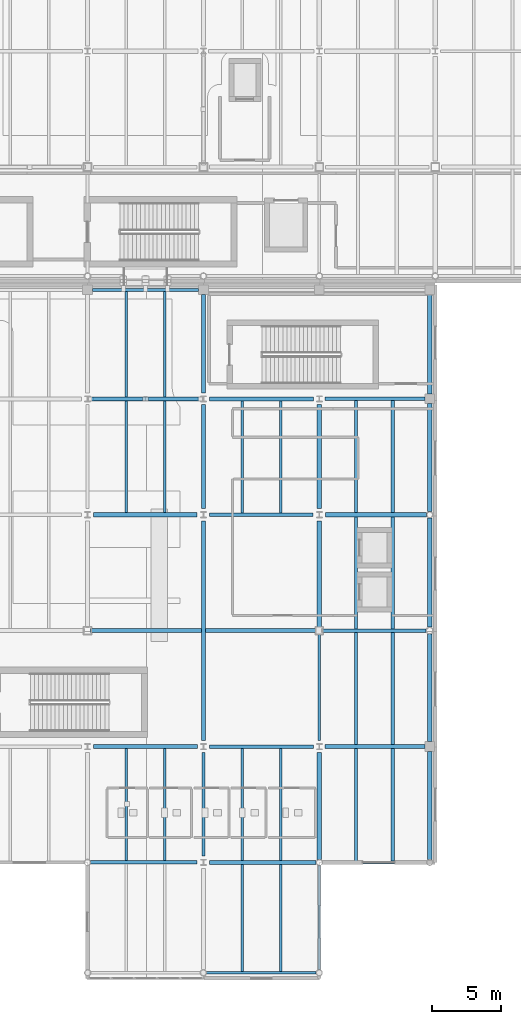
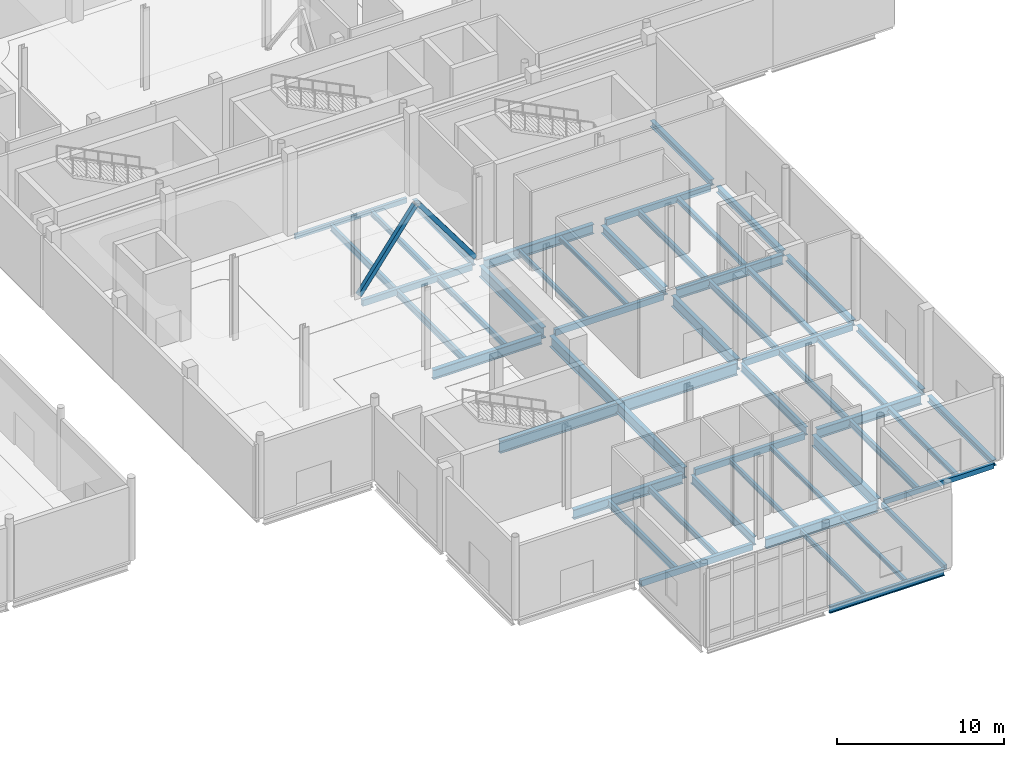
# One storey, part 27 of 85: 50 beams, 2 members.
"""IFC4 building model written with IfcOpenShell, lengths in metres."""

from ifc_helpers import new_model, si_unit, direction, frame, origin, origin_2d, place, context, subcontext, project, spatial, hollow_rectangle, i_section, extrude, material, material_profile, profile_set, type_object, element, save


model = new_model("IFC4")

# Units and contexts
model_context = context("Model", 3, precision=1e-05, world=origin(), true_north=direction((0.0, 1.0)))
body_context = subcontext(model_context, "Body", "Model", "MODEL_VIEW")
ifc_project = project(units=[si_unit("LENGTHUNIT", "METRE"), si_unit("AREAUNIT", "SQUARE_METRE"), si_unit("VOLUMEUNIT", "CUBIC_METRE"), si_unit("PLANEANGLEUNIT", "RADIAN"), si_unit("MASSUNIT", "GRAM", prefix="KILO"), si_unit("THERMODYNAMICTEMPERATUREUNIT", "KELVIN")], contexts=[model_context])

# Site, building, storey
site_placement = place(None, origin())
site = spatial("IfcSite", under=ifc_project, at=site_placement, CompositionType="ELEMENT")
building_placement = place(site_placement, origin())
building = spatial("IfcBuilding", under=site, at=building_placement, Name="Lustrewick Department Store", CompositionType="ELEMENT")
storey_placement = place(building_placement, origin())
storey = spatial("IfcBuildingStorey", under=building, at=storey_placement, Name="L01", CompositionType="ELEMENT", Elevation=0.0)

# Beams
ifc_material_1 = material(Name="Structural steel Q355B", Category="steel")
ifc_material_profile_1 = material_profile(ifc_material_1, i_section(OverallWidth=0.199951171875, OverallDepth=0.5, WebThickness=0.010009765625, FlangeThickness=0.01611328125, FilletRadius=0.01611328125, at=origin_2d()), Name="HN 500x200x10x16")
ifc_profile_set_1 = profile_set([ifc_material_profile_1], Name="Structural steel Q355B")
beam_type_1 = type_object("IfcBeamType", Name="B01", PredefinedType="JOIST", material=ifc_profile_set_1)
for number, where, z_axis, x_axis, name in (
    (1, (128.800048828125, 8.52490234375, -0.52001953125), (0.0, 1.0, 0.0), (-1.0, 0.0, 0.0), "L01 V3 Secondary Joist B01"),
    (2, (128.800048828125, 33.75, -0.52001953125), (0.0, 1.0, 0.0), (-1.0, 0.0, 0.0), "L01 V3 Secondary Joist B01"),
):
    element("IfcBeam", number, at=place(storey_placement, frame(where, z_axis=z_axis, x_axis=x_axis)), inside=storey, type_object=beam_type_1, Name=name, PredefinedType="JOIST", context=body_context, shape_type="SweptSolid", body=[
        extrude(i_section(OverallWidth=0.199951171875, OverallDepth=0.5, WebThickness=0.010009765625, FlangeThickness=0.01611328125, FilletRadius=0.01611328125, at=origin_2d()), origin(), (0.0, 0.0, 1.0), 8.125),
    ])
beam_1_placement = place(storey_placement, frame((128.800048828125, 42.125, -0.52001953125), z_axis=(0.0, 1.0, 0.0), x_axis=(-1.0, 0.0, 0.0)))
element("IfcBeam", 3, at=beam_1_placement, inside=storey, type_object=beam_type_1, Name="L01 V3 Secondary Joist B01", PredefinedType="JOIST", context=body_context, shape_type="SweptSolid", body=[
    extrude(i_section(OverallWidth=0.199951171875, OverallDepth=0.5, WebThickness=0.010009765625, FlangeThickness=0.01611328125, FilletRadius=0.01611328125, at=origin_2d()), origin(), (0.0, 0.0, 1.0), 7.675048828125),
])
ifc_material_profile_2 = material_profile(ifc_material_1, i_section(OverallWidth=0.198974609375, OverallDepth=0.446044921875, WebThickness=0.008056640625, FlangeThickness=0.011962890625, FilletRadius=0.01611328125, at=origin_2d()), Name="HN 446x199x8x12")
ifc_profile_set_2 = profile_set([ifc_material_profile_2], Name="Structural steel Q355B")
beam_type_2 = type_object("IfcBeamType", Name="B04", PredefinedType="JOIST", material=ifc_profile_set_2)
beam_2_placement = place(storey_placement, frame((145.466796875, 8.5, -0.492919921875), z_axis=(0.0, 1.0, 0.0), x_axis=(-1.0, 0.0, 0.0)))
element("IfcBeam", 4, at=beam_2_placement, inside=storey, type_object=beam_type_2, Name="L01 V3 Secondary Joist B04", PredefinedType="JOIST", context=body_context, shape_type="SweptSolid", body=[
    extrude(i_section(OverallWidth=0.198974609375, OverallDepth=0.446044921875, WebThickness=0.008056640625, FlangeThickness=0.011962890625, FilletRadius=0.01611328125, at=origin_2d()), origin(), (0.0, 0.0, 1.0), 8.14990234375),
])
beam_3_placement = place(storey_placement, frame((145.466796875, 16.949951171875, -0.492919921875), z_axis=(0.0, 1.0, 0.0), x_axis=(-1.0, 0.0, 0.0)))
element("IfcBeam", 5, at=beam_3_placement, inside=storey, type_object=beam_type_2, Name="L01 V3 Secondary Joist B04", PredefinedType="JOIST", context=body_context, shape_type="SweptSolid", body=[
    extrude(i_section(OverallWidth=0.198974609375, OverallDepth=0.446044921875, WebThickness=0.008056640625, FlangeThickness=0.011962890625, FilletRadius=0.01611328125, at=origin_2d()), origin(), (0.0, 0.0, 1.0), 8.125),
])
for number, where, z_axis, x_axis, name in (
    (6, (145.466796875, 25.324951171875, -0.492919921875), (0.0, 1.0, 0.0), (-1.0, 0.0, 0.0), "L01 V3 Secondary Joist B04"),
    (7, (145.466796875, 33.7509765625, -0.492919921875), (0.0, 1.0, 0.0), (-1.0, 0.0, 0.0), "L01 V3 Secondary Joist B04"),
):
    element("IfcBeam", number, at=place(storey_placement, frame(where, z_axis=z_axis, x_axis=x_axis)), inside=storey, type_object=beam_type_2, Name=name, PredefinedType="JOIST", context=body_context, shape_type="SweptSolid", body=[
        extrude(i_section(OverallWidth=0.198974609375, OverallDepth=0.446044921875, WebThickness=0.008056640625, FlangeThickness=0.011962890625, FilletRadius=0.01611328125, at=origin_2d()), origin(), (0.0, 0.0, 1.0), 8.1240234375),
    ])
ifc_material_profile_3 = material_profile(ifc_material_1, i_section(OverallWidth=0.199951171875, OverallDepth=0.39990234375, WebThickness=0.008056640625, FlangeThickness=0.012939453125, FilletRadius=0.013916015625, at=origin_2d()), Name="HN 400x200x8x13")
ifc_profile_set_3 = profile_set([ifc_material_profile_3], Name="Structural steel Q355B")
beam_type_3 = type_object("IfcBeamType", Name="B05", PredefinedType="JOIST", material=ifc_profile_set_3)
for number, where, z_axis, x_axis, name in (
    (8, (131.60009765625, 8.52490234375, -0.469970703125), (0.0, 1.0, 0.0), (-1.0, 0.0, 0.0), "L01 V3 Secondary Joist B05"),
    (9, (131.60009765625, 33.75, -0.469970703125), (0.0, 1.0, 0.0), (-1.0, 0.0, 0.0), "L01 V3 Secondary Joist B05"),
):
    element("IfcBeam", number, at=place(storey_placement, frame(where, z_axis=z_axis, x_axis=x_axis)), inside=storey, type_object=beam_type_3, Name=name, PredefinedType="JOIST", context=body_context, shape_type="SweptSolid", body=[
        extrude(i_section(OverallWidth=0.199951171875, OverallDepth=0.39990234375, WebThickness=0.008056640625, FlangeThickness=0.012939453125, FilletRadius=0.013916015625, at=origin_2d()), origin(), (0.0, 0.0, 1.0), 8.125),
    ])
beam_4_placement = place(storey_placement, frame((131.60009765625, 42.125, -0.469970703125), z_axis=(0.0, 1.0, 0.0), x_axis=(-1.0, 0.0, 0.0)))
element("IfcBeam", 10, at=beam_4_placement, inside=storey, type_object=beam_type_3, Name="L01 V3 Secondary Joist B05", PredefinedType="JOIST", context=body_context, shape_type="SweptSolid", body=[
    extrude(i_section(OverallWidth=0.199951171875, OverallDepth=0.39990234375, WebThickness=0.008056640625, FlangeThickness=0.012939453125, FilletRadius=0.013916015625, at=origin_2d()), origin(), (0.0, 0.0, 1.0), 7.675048828125),
])
ifc_material_profile_4 = material_profile(ifc_material_1, i_section(OverallWidth=0.25, OverallDepth=0.340087890625, WebThickness=0.009033203125, FlangeThickness=0.013916015625, FilletRadius=0.01611328125, at=origin_2d()), Name="HM 340x250x9x14")
ifc_profile_set_4 = profile_set([ifc_material_profile_4], Name="Structural steel Q355B")
beam_type_4 = type_object("IfcBeamType", Name="B08", PredefinedType="JOIST", material=ifc_profile_set_4)
beam_5_placement = place(storey_placement, frame((148.13330078125, 8.5, -0.43994140625), z_axis=(0.0, 1.0, 0.0), x_axis=(-1.0, 0.0, 0.0)))
element("IfcBeam", 11, at=beam_5_placement, inside=storey, type_object=beam_type_4, Name="L01 V3 Secondary Joist B08", PredefinedType="JOIST", context=body_context, shape_type="SweptSolid", body=[
    extrude(i_section(OverallWidth=0.25, OverallDepth=0.340087890625, WebThickness=0.009033203125, FlangeThickness=0.013916015625, FilletRadius=0.01611328125, at=origin_2d()), origin(), (0.0, 0.0, 1.0), 8.14990234375),
])
beam_6_placement = place(storey_placement, frame((148.13330078125, 16.949951171875, -0.43994140625), z_axis=(0.0, 1.0, 0.0), x_axis=(-1.0, 0.0, 0.0)))
element("IfcBeam", 12, at=beam_6_placement, inside=storey, type_object=beam_type_4, Name="L01 V3 Secondary Joist B08", PredefinedType="JOIST", context=body_context, shape_type="SweptSolid", body=[
    extrude(i_section(OverallWidth=0.25, OverallDepth=0.340087890625, WebThickness=0.009033203125, FlangeThickness=0.013916015625, FilletRadius=0.01611328125, at=origin_2d()), origin(), (0.0, 0.0, 1.0), 8.125),
])
for number, where, z_axis, x_axis, name in (
    (13, (148.13330078125, 25.324951171875, -0.43994140625), (0.0, 1.0, 0.0), (-1.0, 0.0, 0.0), "L01 V3 Secondary Joist B08"),
    (14, (148.13330078125, 33.7509765625, -0.43994140625), (0.0, 1.0, 0.0), (-1.0, 0.0, 0.0), "L01 V3 Secondary Joist B08"),
):
    element("IfcBeam", number, at=place(storey_placement, frame(where, z_axis=z_axis, x_axis=x_axis)), inside=storey, type_object=beam_type_4, Name=name, PredefinedType="JOIST", context=body_context, shape_type="SweptSolid", body=[
        extrude(i_section(OverallWidth=0.25, OverallDepth=0.340087890625, WebThickness=0.009033203125, FlangeThickness=0.013916015625, FilletRadius=0.01611328125, at=origin_2d()), origin(), (0.0, 0.0, 1.0), 8.1240234375),
    ])
ifc_material_profile_5 = material_profile(ifc_material_1, i_section(OverallWidth=0.175048828125, OverallDepth=0.35009765625, WebThickness=0.007080078125, FlangeThickness=0.010986328125, FilletRadius=0.012939453125, at=origin_2d()), Name="HN 350x175x7x11")
ifc_profile_set_5 = profile_set([ifc_material_profile_5], Name="Structural steel Q355B")
beam_type_5 = type_object("IfcBeamType", Name="B09", PredefinedType="JOIST", material=ifc_profile_set_5)
beam_7_placement = place(storey_placement, frame((137.199951171875, 0.50048828125, -0.445068359375), z_axis=(0.0, 1.0, 0.0), x_axis=(-1.0, 0.0, 0.0)))
element("IfcBeam", 15, at=beam_7_placement, inside=storey, type_object=beam_type_5, Name="L01 V3 Secondary Joist B09", PredefinedType="JOIST", context=body_context, shape_type="SweptSolid", body=[
    extrude(i_section(OverallWidth=0.175048828125, OverallDepth=0.35009765625, WebThickness=0.007080078125, FlangeThickness=0.010986328125, FilletRadius=0.012939453125, at=origin_2d()), origin(), (0.0, 0.0, 1.0), 7.74951171875),
])
beam_8_placement = place(storey_placement, frame((137.199951171875, 8.550048828125, -0.445068359375), z_axis=(0.0, 1.0, 0.0), x_axis=(-1.0, 0.0, 0.0)))
element("IfcBeam", 16, at=beam_8_placement, inside=storey, type_object=beam_type_5, Name="L01 V3 Secondary Joist B09", PredefinedType="JOIST", context=body_context, shape_type="SweptSolid", body=[
    extrude(i_section(OverallWidth=0.175048828125, OverallDepth=0.35009765625, WebThickness=0.007080078125, FlangeThickness=0.010986328125, FilletRadius=0.012939453125, at=origin_2d()), origin(), (0.0, 0.0, 1.0), 8.125),
])
beam_9_placement = place(storey_placement, frame((137.199951171875, 33.72509765625, -0.445068359375), z_axis=(0.0, 1.0, 0.0), x_axis=(-1.0, 0.0, 0.0)))
element("IfcBeam", 17, at=beam_9_placement, inside=storey, type_object=beam_type_5, Name="L01 V3 Secondary Joist B09", PredefinedType="JOIST", context=body_context, shape_type="SweptSolid", body=[
    extrude(i_section(OverallWidth=0.175048828125, OverallDepth=0.35009765625, WebThickness=0.007080078125, FlangeThickness=0.010986328125, FilletRadius=0.012939453125, at=origin_2d()), origin(), (0.0, 0.0, 1.0), 8.1240234375),
])
ifc_material_profile_6 = material_profile(ifc_material_1, i_section(OverallWidth=0.199951171875, OverallDepth=0.2939453125, WebThickness=0.008056640625, FlangeThickness=0.011962890625, FilletRadius=0.013916015625, at=origin_2d()), Name="HM 294x200x8x12")
ifc_profile_set_6 = profile_set([ifc_material_profile_6], Name="Structural steel Q355B")
beam_type_6 = type_object("IfcBeamType", Name="B13", PredefinedType="JOIST", material=ifc_profile_set_6)
beam_10_placement = place(storey_placement, frame((140.0, 0.50048828125, -0.4169921875), z_axis=(0.0, 1.0, 0.0), x_axis=(-1.0, 0.0, 0.0)))
element("IfcBeam", 18, at=beam_10_placement, inside=storey, type_object=beam_type_6, Name="L01 V3 Secondary Joist B13", PredefinedType="JOIST", context=body_context, shape_type="SweptSolid", body=[
    extrude(i_section(OverallWidth=0.199951171875, OverallDepth=0.2939453125, WebThickness=0.008056640625, FlangeThickness=0.011962890625, FilletRadius=0.013916015625, at=origin_2d()), origin(), (0.0, 0.0, 1.0), 7.74951171875),
])
beam_11_placement = place(storey_placement, frame((140.0, 8.550048828125, -0.4169921875), z_axis=(0.0, 1.0, 0.0), x_axis=(-1.0, 0.0, 0.0)))
element("IfcBeam", 19, at=beam_11_placement, inside=storey, type_object=beam_type_6, Name="L01 V3 Secondary Joist B13", PredefinedType="JOIST", context=body_context, shape_type="SweptSolid", body=[
    extrude(i_section(OverallWidth=0.199951171875, OverallDepth=0.2939453125, WebThickness=0.008056640625, FlangeThickness=0.011962890625, FilletRadius=0.013916015625, at=origin_2d()), origin(), (0.0, 0.0, 1.0), 8.125),
])
beam_12_placement = place(storey_placement, frame((140.0, 33.72509765625, -0.4169921875), z_axis=(0.0, 1.0, 0.0), x_axis=(-1.0, 0.0, 0.0)))
element("IfcBeam", 20, at=beam_12_placement, inside=storey, type_object=beam_type_6, Name="L01 V3 Secondary Joist B13", PredefinedType="JOIST", context=body_context, shape_type="SweptSolid", body=[
    extrude(i_section(OverallWidth=0.199951171875, OverallDepth=0.2939453125, WebThickness=0.008056640625, FlangeThickness=0.011962890625, FilletRadius=0.013916015625, at=origin_2d()), origin(), (0.0, 0.0, 1.0), 8.1240234375),
])

# Members
ifc_material_2 = material(Name="Structural steel Q355C", Category="steel")
ifc_material_profile_7 = material_profile(ifc_material_2, hollow_rectangle(XDim=0.300048828125, YDim=0.300048828125, WallThickness=0.011962890625, at=origin_2d()), Name="SHS 300x300x12")
ifc_profile_set_7 = profile_set([ifc_material_profile_7], Name="Structural steel Q355C")
member_type = type_object("IfcMemberType", Name="BR06", PredefinedType="BRACE", material=ifc_profile_set_7)
for number, where, z_axis, x_axis, name in (
    (21, (126.199951171875, 42.0, 0.14990234375), (0.596695982264, 0.0, 0.802467385474), (0.0, 1.0, 0.0), "L01 V3 Chevron Brace BR06"),
    (22, (134.199951171875, 42.0, 0.14990234375), (-0.596671928583, 0.0, 0.802485270669), (0.0, -1.0, 0.0), "L01 V3 Chevron Brace BR06"),
):
    element("IfcMember", number, at=place(storey_placement, frame(where, z_axis=z_axis, x_axis=x_axis)), inside=storey, type_object=member_type, Name=name, PredefinedType="BRACE", context=body_context, shape_type="SweptSolid", body=[
        extrude(hollow_rectangle(XDim=0.300048828125, YDim=0.300048828125, WallThickness=0.011962890625, at=origin_2d()), origin(), (0.0, 0.0, 1.0), 6.5361328125),
    ])

# Beams
ifc_material_profile_8 = material_profile(ifc_material_2, i_section(OverallWidth=0.300048828125, OverallDepth=0.89990234375, WebThickness=0.01611328125, FlangeThickness=0.028076171875, FilletRadius=0.02392578125, at=origin_2d()), Name="HN 900x300x16x28")
ifc_profile_set_8 = profile_set([ifc_material_profile_8], Name="Structural steel Q355C")
beam_type_7 = type_object("IfcBeamType", Name="G02", PredefinedType="BEAM", material=ifc_profile_set_8)
beam_13_placement = place(storey_placement, frame((126.20361328125, 25.199951171875, -0.719970703125), z_axis=(1.0, 0.0, 0.0), x_axis=(0.0, 1.0, 0.0)))
element("IfcBeam", 23, at=beam_13_placement, inside=storey, type_object=beam_type_7, Name="L01 V3 Girder G02", PredefinedType="BEAM", context=body_context, shape_type="SweptSolid", body=[
    extrude(i_section(OverallWidth=0.300048828125, OverallDepth=0.89990234375, WebThickness=0.01611328125, FlangeThickness=0.028076171875, FilletRadius=0.02392578125, at=origin_2d()), origin(), (0.0, 0.0, 1.0), 16.392822265625),
])
ifc_material_profile_9 = material_profile(ifc_material_2, i_section(OverallWidth=0.302001953125, OverallDepth=0.80810546875, WebThickness=0.01611328125, FlangeThickness=0.030029296875, FilletRadius=0.02197265625, at=origin_2d()), Name="HN 808x302x16x30")
ifc_profile_set_9 = profile_set([ifc_material_profile_9], Name="Structural steel Q355C")
beam_type_8 = type_object("IfcBeamType", Name="G04", PredefinedType="BEAM", material=ifc_profile_set_9)
beam_14_placement = place(storey_placement, frame((134.39990234375, 17.22509765625, -0.674072265625), z_axis=(0.0, 1.0, 0.0), x_axis=(-1.0, 0.0, 0.0)))
element("IfcBeam", 24, at=beam_14_placement, inside=storey, type_object=beam_type_8, Name="L01 V3 Girder G04", PredefinedType="BEAM", context=body_context, shape_type="SweptSolid", body=[
    extrude(i_section(OverallWidth=0.302001953125, OverallDepth=0.80810546875, WebThickness=0.01611328125, FlangeThickness=0.030029296875, FilletRadius=0.02197265625, at=origin_2d()), origin(), (0.0, 0.0, 1.0), 15.9248046875),
])
beam_15_placement = place(storey_placement, frame((134.39990234375, 34.050048828125, -0.674072265625), z_axis=(0.0, 1.0, 0.0), x_axis=(-1.0, 0.0, 0.0)))
element("IfcBeam", 25, at=beam_15_placement, inside=storey, type_object=beam_type_8, Name="L01 V3 Girder G04", PredefinedType="BEAM", context=body_context, shape_type="SweptSolid", body=[
    extrude(i_section(OverallWidth=0.302001953125, OverallDepth=0.80810546875, WebThickness=0.01611328125, FlangeThickness=0.030029296875, FilletRadius=0.02197265625, at=origin_2d()), origin(), (0.0, 0.0, 1.0), 7.52490234375),
])
beam_16_placement = place(storey_placement, frame((142.800048828125, 8.62841796875, -0.674072265625), z_axis=(0.0, 1.0, 0.0), x_axis=(-1.0, 0.0, 0.0)))
element("IfcBeam", 26, at=beam_16_placement, inside=storey, type_object=beam_type_8, Name="L01 V3 Girder G04", PredefinedType="BEAM", context=body_context, shape_type="SweptSolid", body=[
    extrude(i_section(OverallWidth=0.302001953125, OverallDepth=0.80810546875, WebThickness=0.01611328125, FlangeThickness=0.030029296875, FilletRadius=0.02197265625, at=origin_2d()), origin(), (0.0, 0.0, 1.0), 7.74658203125),
])
beam_17_placement = place(storey_placement, frame((142.800048828125, 25.4140625, -0.674072265625), z_axis=(0.0, 1.0, 0.0), x_axis=(-1.0, 0.0, 0.0)))
element("IfcBeam", 27, at=beam_17_placement, inside=storey, type_object=beam_type_8, Name="L01 V3 Girder G04", PredefinedType="BEAM", context=body_context, shape_type="SweptSolid", body=[
    extrude(i_section(OverallWidth=0.302001953125, OverallDepth=0.80810546875, WebThickness=0.01611328125, FlangeThickness=0.030029296875, FilletRadius=0.02197265625, at=origin_2d()), origin(), (0.0, 0.0, 1.0), 7.73583984375),
])
ifc_material_profile_10 = material_profile(ifc_material_2, i_section(OverallWidth=0.302001953125, OverallDepth=0.7080078125, WebThickness=0.014892578125, FlangeThickness=0.028076171875, FilletRadius=0.02001953125, at=origin_2d()), Name="HN 708x302x15x28")
ifc_profile_set_10 = profile_set([ifc_material_profile_10], Name="Structural steel Q355C")
beam_type_9 = type_object("IfcBeamType", Name="G07", PredefinedType="BEAM", material=ifc_profile_set_10)
beam_18_placement = place(storey_placement, frame((143.25, 33.60009765625, -0.6240234375), z_axis=(1.0, 0.0, 0.0), x_axis=(0.0, 1.0, 0.0)))
element("IfcBeam", 28, at=beam_18_placement, inside=storey, type_object=beam_type_9, Name="L01 V3 Girder G07", PredefinedType="BEAM", context=body_context, shape_type="SweptSolid", body=[
    extrude(i_section(OverallWidth=0.302001953125, OverallDepth=0.7080078125, WebThickness=0.014892578125, FlangeThickness=0.028076171875, FilletRadius=0.02001953125, at=origin_2d()), origin(), (0.0, 0.0, 1.0), 7.321533203125),
])
beam_19_placement = place(storey_placement, frame((134.824951171875, 42.0, -0.6240234375), z_axis=(1.0, 0.0, 0.0), x_axis=(0.0, 1.0, 0.0)))
element("IfcBeam", 29, at=beam_19_placement, inside=storey, type_object=beam_type_9, Name="L01 V3 Girder G07", PredefinedType="BEAM", context=body_context, shape_type="SweptSolid", body=[
    extrude(i_section(OverallWidth=0.302001953125, OverallDepth=0.7080078125, WebThickness=0.014892578125, FlangeThickness=0.028076171875, FilletRadius=0.02001953125, at=origin_2d()), origin(), (0.0, 0.0, 1.0), 7.550048828125),
])
ifc_material_profile_11 = material_profile(ifc_material_1, i_section(OverallWidth=0.300048828125, OverallDepth=0.699951171875, WebThickness=0.012939453125, FlangeThickness=0.02392578125, FilletRadius=0.02001953125, at=origin_2d()), Name="HN 700x300x13x24")
ifc_profile_set_11 = profile_set([ifc_material_profile_11], Name="Structural steel Q355B")
beam_type_10 = type_object("IfcBeamType", Name="G08", PredefinedType="BEAM", material=ifc_profile_set_11)
beam_20_placement = place(storey_placement, frame((134.85009765625, 8.39990234375, -0.6201171875), z_axis=(1.0, 0.0, 0.0), x_axis=(0.0, 1.0, 0.0)))
element("IfcBeam", 30, at=beam_20_placement, inside=storey, type_object=beam_type_10, Name="L01 V3 Girder G08", PredefinedType="BEAM", context=body_context, shape_type="SweptSolid", body=[
    extrude(i_section(OverallWidth=0.300048828125, OverallDepth=0.699951171875, WebThickness=0.012939453125, FlangeThickness=0.02392578125, FilletRadius=0.02001953125, at=origin_2d()), origin(), (0.0, 0.0, 1.0), 7.721435546875),
])
beam_21_placement = place(storey_placement, frame((126.425048828125, 16.800048828125, -0.6201171875), z_axis=(1.0, 0.0, 0.0), x_axis=(0.0, 1.0, 0.0)))
element("IfcBeam", 31, at=beam_21_placement, inside=storey, type_object=beam_type_10, Name="L01 V3 Girder G08", PredefinedType="BEAM", context=body_context, shape_type="SweptSolid", body=[
    extrude(i_section(OverallWidth=0.300048828125, OverallDepth=0.699951171875, WebThickness=0.012939453125, FlangeThickness=0.02392578125, FilletRadius=0.02001953125, at=origin_2d()), origin(), (0.0, 0.0, 1.0), 7.550048828125),
])
beam_22_placement = place(storey_placement, frame((143.22509765625, 16.800048828125, -0.6201171875), z_axis=(1.0, 0.0, 0.0), x_axis=(0.0, 1.0, 0.0)))
element("IfcBeam", 32, at=beam_22_placement, inside=storey, type_object=beam_type_10, Name="L01 V3 Girder G08", PredefinedType="BEAM", context=body_context, shape_type="SweptSolid", body=[
    extrude(i_section(OverallWidth=0.300048828125, OverallDepth=0.699951171875, WebThickness=0.012939453125, FlangeThickness=0.02392578125, FilletRadius=0.02001953125, at=origin_2d()), origin(), (0.0, 0.0, 1.0), 7.224853515625),
])
beam_23_placement = place(storey_placement, frame((126.449951171875, 33.60009765625, -0.6201171875), z_axis=(1.0, 0.0, 0.0), x_axis=(0.0, 1.0, 0.0)))
element("IfcBeam", 33, at=beam_23_placement, inside=storey, type_object=beam_type_10, Name="L01 V3 Girder G08", PredefinedType="BEAM", context=body_context, shape_type="SweptSolid", body=[
    extrude(i_section(OverallWidth=0.300048828125, OverallDepth=0.699951171875, WebThickness=0.012939453125, FlangeThickness=0.02392578125, FilletRadius=0.02001953125, at=origin_2d()), origin(), (0.0, 0.0, 1.0), 7.5),
])
ifc_material_profile_12 = material_profile(ifc_material_1, i_section(OverallWidth=0.300048828125, OverallDepth=0.58203125, WebThickness=0.011962890625, FlangeThickness=0.01708984375, FilletRadius=0.02392578125, at=origin_2d()), Name="HM 582x300x12x17")
ifc_profile_set_12 = profile_set([ifc_material_profile_12], Name="Structural steel Q355B")
beam_type_11 = type_object("IfcBeamType", Name="G12", PredefinedType="BEAM", material=ifc_profile_set_12)
beam_24_placement = place(storey_placement, frame((134.39990234375, 42.425048828125, -0.56103515625), z_axis=(0.0, 1.0, 0.0), x_axis=(-1.0, 0.0, 0.0)))
element("IfcBeam", 34, at=beam_24_placement, inside=storey, type_object=beam_type_11, Name="L01 V3 Girder G12", PredefinedType="BEAM", context=body_context, shape_type="SweptSolid", body=[
    extrude(i_section(OverallWidth=0.300048828125, OverallDepth=0.58203125, WebThickness=0.011962890625, FlangeThickness=0.01708984375, FilletRadius=0.02392578125, at=origin_2d()), origin(), (0.0, 0.0, 1.0), 7.125),
])
beam_25_placement = place(storey_placement, frame((142.800048828125, 34.050048828125, -0.56103515625), z_axis=(0.0, 1.0, 0.0), x_axis=(-1.0, 0.0, 0.0)))
element("IfcBeam", 35, at=beam_25_placement, inside=storey, type_object=beam_type_11, Name="L01 V3 Girder G12", PredefinedType="BEAM", context=body_context, shape_type="SweptSolid", body=[
    extrude(i_section(OverallWidth=0.300048828125, OverallDepth=0.58203125, WebThickness=0.011962890625, FlangeThickness=0.01708984375, FilletRadius=0.02392578125, at=origin_2d()), origin(), (0.0, 0.0, 1.0), 7.52490234375),
])
ifc_material_profile_13 = material_profile(ifc_material_1, i_section(OverallWidth=0.200927734375, OverallDepth=0.60595703125, WebThickness=0.011962890625, FlangeThickness=0.02001953125, FilletRadius=0.01806640625, at=origin_2d()), Name="HN 606x201x12x20")
ifc_profile_set_13 = profile_set([ifc_material_profile_13], Name="Structural steel Q355B")
beam_type_12 = type_object("IfcBeamType", Name="G13", PredefinedType="BEAM", material=ifc_profile_set_13)
beam_26_placement = place(storey_placement, frame((134.39990234375, 8.85009765625, -0.572998046875), z_axis=(0.0, 1.0, 0.0), x_axis=(-1.0, 0.0, 0.0)))
element("IfcBeam", 36, at=beam_26_placement, inside=storey, type_object=beam_type_12, Name="L01 V3 Girder G13", PredefinedType="BEAM", context=body_context, shape_type="SweptSolid", body=[
    extrude(i_section(OverallWidth=0.200927734375, OverallDepth=0.60595703125, WebThickness=0.011962890625, FlangeThickness=0.02001953125, FilletRadius=0.01806640625, at=origin_2d()), origin(), (0.0, 0.0, 1.0), 7.52490234375),
])
beam_27_placement = place(storey_placement, frame((142.800048828125, 17.22509765625, -0.572998046875), z_axis=(0.0, 1.0, 0.0), x_axis=(-1.0, 0.0, 0.0)))
element("IfcBeam", 37, at=beam_27_placement, inside=storey, type_object=beam_type_12, Name="L01 V3 Girder G13", PredefinedType="BEAM", context=body_context, shape_type="SweptSolid", body=[
    extrude(i_section(OverallWidth=0.200927734375, OverallDepth=0.60595703125, WebThickness=0.011962890625, FlangeThickness=0.02001953125, FilletRadius=0.01806640625, at=origin_2d()), origin(), (0.0, 0.0, 1.0), 7.760986328125),
])
ifc_material_profile_14 = material_profile(ifc_material_2, hollow_rectangle(XDim=0.25, YDim=0.449951171875, WallThickness=0.013916015625, at=origin_2d()), Name="RHS 450x250x14")
ifc_profile_set_14 = profile_set([ifc_material_profile_14], Name="Structural steel Q355C")
beam_type_13 = type_object("IfcBeamType", Name="G18", PredefinedType="BEAM", material=ifc_profile_set_14)
beam_28_placement = place(storey_placement, frame((126.228515625, 8.39990234375, -0.4951171875), z_axis=(1.0, 0.0, 0.0), x_axis=(0.0, 1.0, 0.0)))
element("IfcBeam", 38, at=beam_28_placement, inside=storey, type_object=beam_type_13, Name="L01 V3 Girder G18", PredefinedType="BEAM", context=body_context, shape_type="SweptSolid", body=[
    extrude(hollow_rectangle(XDim=0.25, YDim=0.449951171875, WallThickness=0.013916015625, at=origin_2d()), origin(), (0.0, 0.0, 1.0), 7.721435546875),
])
beam_29_placement = place(storey_placement, frame((134.824951171875, 16.800048828125, -0.4951171875), z_axis=(1.0, 0.0, 0.0), x_axis=(0.0, 1.0, 0.0)))
element("IfcBeam", 39, at=beam_29_placement, inside=storey, type_object=beam_type_13, Name="L01 V3 Girder G18", PredefinedType="BEAM", context=body_context, shape_type="SweptSolid", body=[
    extrude(hollow_rectangle(XDim=0.25, YDim=0.449951171875, WallThickness=0.013916015625, at=origin_2d()), origin(), (0.0, 0.0, 1.0), 7.550048828125),
])
beam_30_placement = place(storey_placement, frame((143.00341796875, 25.199951171875, -0.4951171875), z_axis=(1.0, 0.0, 0.0), x_axis=(0.0, 1.0, 0.0)))
element("IfcBeam", 40, at=beam_30_placement, inside=storey, type_object=beam_type_13, Name="L01 V3 Girder G18", PredefinedType="BEAM", context=body_context, shape_type="SweptSolid", body=[
    extrude(hollow_rectangle(XDim=0.25, YDim=0.449951171875, WallThickness=0.013916015625, at=origin_2d()), origin(), (0.0, 0.0, 1.0), 7.54248046875),
])
beam_31_placement = place(storey_placement, frame((134.85009765625, 33.60009765625, -0.4951171875), z_axis=(1.0, 0.0, 0.0), x_axis=(0.0, 1.0, 0.0)))
element("IfcBeam", 41, at=beam_31_placement, inside=storey, type_object=beam_type_13, Name="L01 V3 Girder G18", PredefinedType="BEAM", context=body_context, shape_type="SweptSolid", body=[
    extrude(hollow_rectangle(XDim=0.25, YDim=0.449951171875, WallThickness=0.013916015625, at=origin_2d()), origin(), (0.0, 0.0, 1.0), 7.5),
])
beam_32_placement = place(storey_placement, frame((126.425048828125, 42.0, -0.4951171875), z_axis=(1.0, 0.0, 0.0), x_axis=(0.0, 1.0, 0.0)))
element("IfcBeam", 42, at=beam_32_placement, inside=storey, type_object=beam_type_13, Name="L01 V3 Girder G18", PredefinedType="BEAM", context=body_context, shape_type="SweptSolid", body=[
    extrude(hollow_rectangle(XDim=0.25, YDim=0.449951171875, WallThickness=0.013916015625, at=origin_2d()), origin(), (0.0, 0.0, 1.0), 7.550048828125),
])
beam_33_placement = place(storey_placement, frame((143.22509765625, 42.0, -0.4951171875), z_axis=(1.0, 0.0, 0.0), x_axis=(0.0, 1.0, 0.0)))
element("IfcBeam", 43, at=beam_33_placement, inside=storey, type_object=beam_type_13, Name="L01 V3 Girder G18", PredefinedType="BEAM", context=body_context, shape_type="SweptSolid", body=[
    extrude(hollow_rectangle(XDim=0.25, YDim=0.449951171875, WallThickness=0.013916015625, at=origin_2d()), origin(), (0.0, 0.0, 1.0), 7.224853515625),
])
ifc_material_profile_15 = material_profile(ifc_material_1, i_section(OverallWidth=0.200927734375, OverallDepth=0.506103515625, WebThickness=0.010986328125, FlangeThickness=0.01904296875, FilletRadius=0.01611328125, at=origin_2d()), Name="HN 506x201x11x19")
ifc_profile_set_15 = profile_set([ifc_material_profile_15], Name="Structural steel Q355B")
beam_type_14 = type_object("IfcBeamType", Name="SP01", PredefinedType="SPANDREL", material=ifc_profile_set_15)
beam_34_placement = place(storey_placement, frame((134.62841796875, 0.39990234375, -0.52294921875), z_axis=(1.0, 0.0, 0.0), x_axis=(0.0, 1.0, 0.0)))
element("IfcBeam", 44, at=beam_34_placement, inside=storey, type_object=beam_type_14, Name="L01 V3 Girder SP01", PredefinedType="SPANDREL", context=body_context, shape_type="SweptSolid", body=[
    extrude(i_section(OverallWidth=0.200927734375, OverallDepth=0.506103515625, WebThickness=0.010986328125, FlangeThickness=0.01904296875, FilletRadius=0.01611328125, at=origin_2d()), origin(), (0.0, 0.0, 1.0), 7.943115234375),
])
ifc_material_profile_16 = material_profile(ifc_material_1, i_section(OverallWidth=0.300048828125, OverallDepth=0.43994140625, WebThickness=0.010986328125, FlangeThickness=0.01806640625, FilletRadius=0.02001953125, at=origin_2d()), Name="HM 440x300x11x18")
ifc_profile_set_16 = profile_set([ifc_material_profile_16], Name="Structural steel Q355B")
beam_type_15 = type_object("IfcBeamType", Name="SP02", PredefinedType="SPANDREL", material=ifc_profile_set_16)
beam_35_placement = place(storey_placement, frame((150.800048828125, 8.62841796875, -0.489990234375), z_axis=(0.0, 1.0, 0.0), x_axis=(-1.0, 0.0, 0.0)))
element("IfcBeam", 45, at=beam_35_placement, inside=storey, type_object=beam_type_15, Name="L01 V3 Girder SP02", PredefinedType="SPANDREL", context=body_context, shape_type="SweptSolid", body=[
    extrude(i_section(OverallWidth=0.300048828125, OverallDepth=0.43994140625, WebThickness=0.010986328125, FlangeThickness=0.01806640625, FilletRadius=0.02001953125, at=origin_2d()), origin(), (0.0, 0.0, 1.0), 7.821533203125),
])
beam_36_placement = place(storey_placement, frame((150.800048828125, 17.14990234375, -0.489990234375), z_axis=(0.0, 1.0, 0.0), x_axis=(-1.0, 0.0, 0.0)))
element("IfcBeam", 46, at=beam_36_placement, inside=storey, type_object=beam_type_15, Name="L01 V3 Girder SP02", PredefinedType="SPANDREL", context=body_context, shape_type="SweptSolid", body=[
    extrude(i_section(OverallWidth=0.300048828125, OverallDepth=0.43994140625, WebThickness=0.010986328125, FlangeThickness=0.01806640625, FilletRadius=0.02001953125, at=origin_2d()), origin(), (0.0, 0.0, 1.0), 7.796142578125),
])
beam_37_placement = place(storey_placement, frame((150.800048828125, 25.4541015625, -0.489990234375), z_axis=(0.0, 1.0, 0.0), x_axis=(-1.0, 0.0, 0.0)))
element("IfcBeam", 47, at=beam_37_placement, inside=storey, type_object=beam_type_15, Name="L01 V3 Girder SP02", PredefinedType="SPANDREL", context=body_context, shape_type="SweptSolid", body=[
    extrude(i_section(OverallWidth=0.300048828125, OverallDepth=0.43994140625, WebThickness=0.010986328125, FlangeThickness=0.01806640625, FilletRadius=0.02001953125, at=origin_2d()), origin(), (0.0, 0.0, 1.0), 7.91748046875),
])
beam_38_placement = place(storey_placement, frame((150.800048828125, 33.82861328125, -0.489990234375), z_axis=(0.0, 1.0, 0.0), x_axis=(-1.0, 0.0, 0.0)))
element("IfcBeam", 48, at=beam_38_placement, inside=storey, type_object=beam_type_15, Name="L01 V3 Girder SP02", PredefinedType="SPANDREL", context=body_context, shape_type="SweptSolid", body=[
    extrude(i_section(OverallWidth=0.300048828125, OverallDepth=0.43994140625, WebThickness=0.010986328125, FlangeThickness=0.01806640625, FilletRadius=0.02001953125, at=origin_2d()), origin(), (0.0, 0.0, 1.0), 7.8212890625),
])
beam_39_placement = place(storey_placement, frame((150.800048828125, 42.35009765625, -0.489990234375), z_axis=(0.0, 1.0, 0.0), x_axis=(-1.0, 0.0, 0.0)))
element("IfcBeam", 49, at=beam_39_placement, inside=storey, type_object=beam_type_15, Name="L01 V3 Girder SP02", PredefinedType="SPANDREL", context=body_context, shape_type="SweptSolid", body=[
    extrude(i_section(OverallWidth=0.300048828125, OverallDepth=0.43994140625, WebThickness=0.010986328125, FlangeThickness=0.01806640625, FilletRadius=0.02001953125, at=origin_2d()), origin(), (0.0, 0.0, 1.0), 7.199951171875),
])
ifc_material_profile_17 = material_profile(ifc_material_2, hollow_rectangle(XDim=0.199951171875, YDim=0.35009765625, WallThickness=0.011962890625, at=origin_2d()), Name="RHS 350x200x12")
ifc_profile_set_17 = profile_set([ifc_material_profile_17], Name="Structural steel Q355C")
beam_type_16 = type_object("IfcBeamType", Name="SP03", PredefinedType="SPANDREL", material=ifc_profile_set_17)
beam_40_placement = place(storey_placement, frame((143.028564453125, 8.39990234375, -0.445068359375), z_axis=(1.0, 0.0, 0.0), x_axis=(0.0, 1.0, 0.0)))
element("IfcBeam", 50, at=beam_40_placement, inside=storey, type_object=beam_type_16, Name="L01 V3 Girder SP03", PredefinedType="SPANDREL", context=body_context, shape_type="SweptSolid", body=[
    extrude(hollow_rectangle(XDim=0.199951171875, YDim=0.35009765625, WallThickness=0.011962890625, at=origin_2d()), origin(), (0.0, 0.0, 1.0), 7.54296875),
])
beam_41_placement = place(storey_placement, frame((126.35009765625, 49.89990234375, -0.445068359375), z_axis=(1.0, 0.0, 0.0), x_axis=(0.0, 1.0, 0.0)))
element("IfcBeam", 51, at=beam_41_placement, inside=storey, type_object=beam_type_16, Name="L01 V3 Girder SP03", PredefinedType="SPANDREL", context=body_context, shape_type="SweptSolid", body=[
    extrude(hollow_rectangle(XDim=0.199951171875, YDim=0.35009765625, WallThickness=0.011962890625, at=origin_2d()), origin(), (0.0, 0.0, 1.0), 7.699951171875),
])
beam_42_placement = place(storey_placement, frame((142.800048828125, 0.62841796875, -0.445068359375), z_axis=(0.0, 1.0, 0.0), x_axis=(-1.0, 0.0, 0.0)))
element("IfcBeam", 52, at=beam_42_placement, inside=storey, type_object=beam_type_16, Name="L01 V3 Girder SP03", PredefinedType="SPANDREL", context=body_context, shape_type="SweptSolid", body=[
    extrude(hollow_rectangle(XDim=0.199951171875, YDim=0.35009765625, WallThickness=0.011962890625, at=origin_2d()), origin(), (0.0, 0.0, 1.0), 7.54296875),
])

save(model, "model.ifc")
